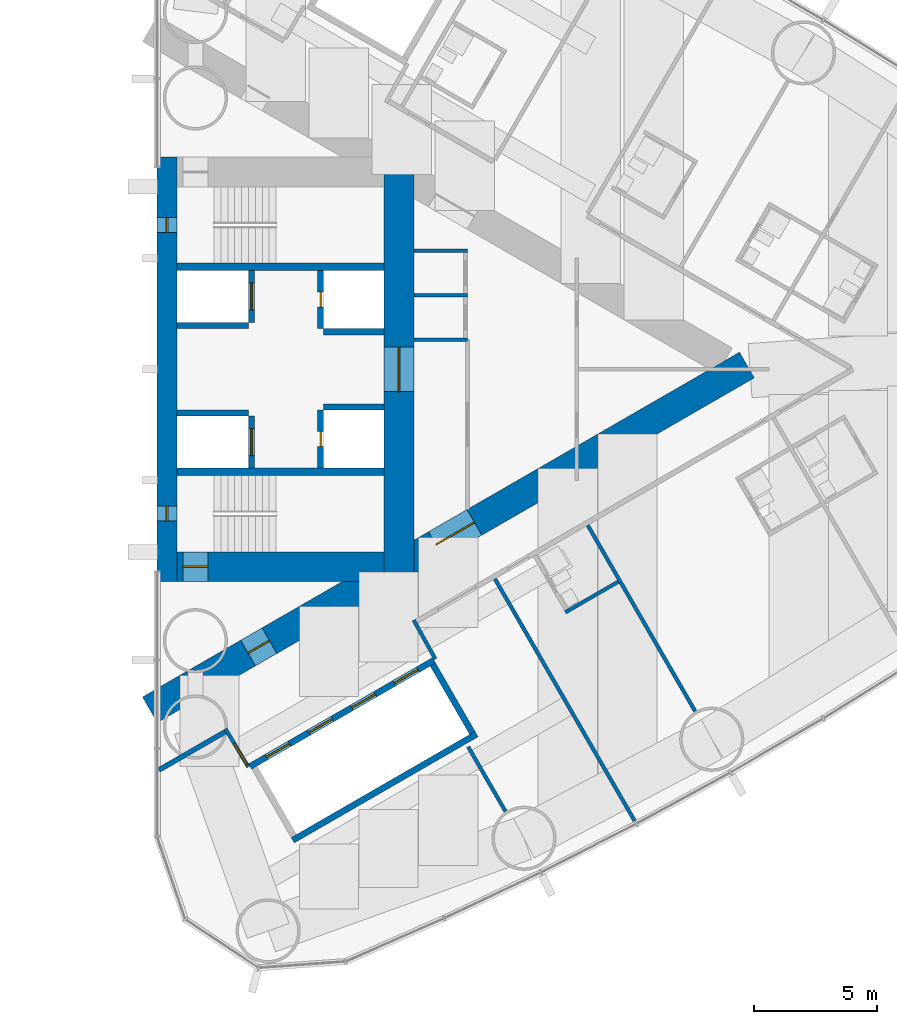
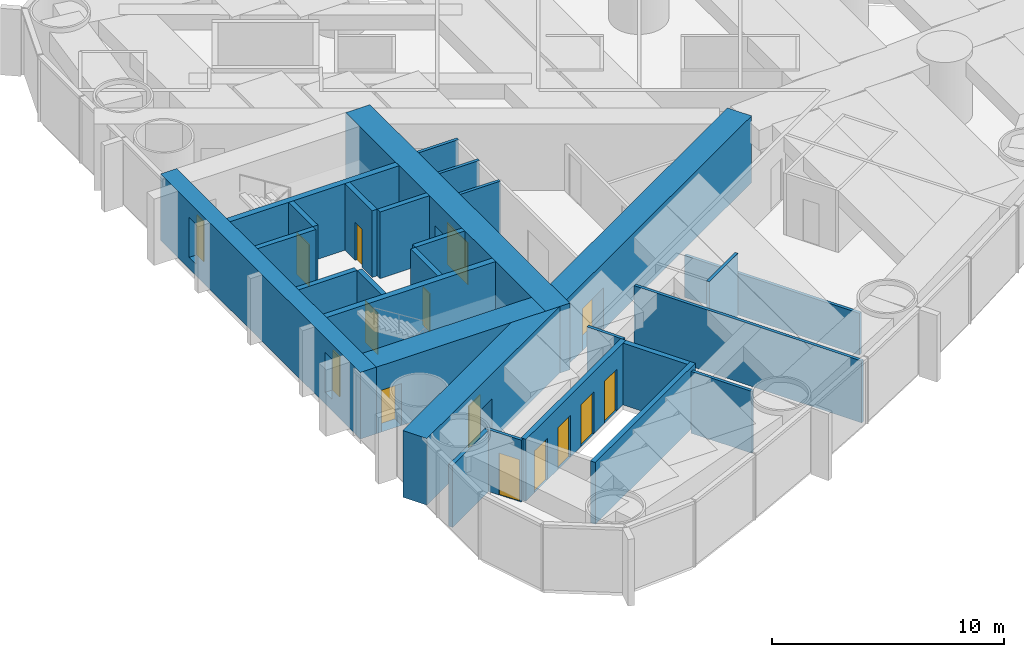
# One storey, part 14 of 19: 27 walls, 13 doors, 2 windows, 15 openings.
"""IFC4 building model written with IfcOpenShell, lengths in metres."""

from ifc_helpers import new_model, si_unit, direction, frame, frame_2d, origin, place, context, subcontext, project, spatial, rectangle, extrude, material, layer, layer_set, type_object, element, fill, save


model = new_model("IFC4")

# Units and contexts
model_context = context("Model", 3, precision=1e-05, world=origin(), true_north=direction((0.0, 1.0)))
body_context = subcontext(model_context, "Body", "Model", "MODEL_VIEW")
ifc_project = project(units=[si_unit("LENGTHUNIT", "METRE"), si_unit("AREAUNIT", "SQUARE_METRE"), si_unit("VOLUMEUNIT", "CUBIC_METRE"), si_unit("PLANEANGLEUNIT", "RADIAN"), si_unit("MASSUNIT", "GRAM", prefix="KILO")], contexts=[model_context])

# Site, building, storey
site_placement = place(None, origin())
site = spatial("IfcSite", under=ifc_project, at=site_placement, CompositionType="ELEMENT")
building_placement = place(site_placement, origin())
building = spatial("IfcBuilding", under=site, at=building_placement, Name="Lancet Gate Hotel", CompositionType="ELEMENT")
storey_placement = place(building_placement, frame((0.0, 0.0, 111.60009765625)))
storey = spatial("IfcBuildingStorey", under=building, at=storey_placement, Name="L29", CompositionType="ELEMENT", Elevation=111.60009765625)

# Wall
ifc_material_1 = material(Name="Moisture resistant board partition")
ifc_layer_1 = layer(ifc_material_1, 0.14990234375)
ifc_layer_set_1 = layer_set([ifc_layer_1], Name="Bathroom wall 150")
wall_type_1 = type_object("IfcWallType", Name="Bathroom wall 150", PredefinedType="PARTITIONING", material=ifc_layer_set_1)
wall_1_placement = place(storey_placement, frame((44.045166015625, -9.847900390625, 0.0), z_axis=(0.0, 0.0, 1.0), x_axis=(0.866031185235, 0.4999899861, 0.0)))
element("IfcWall", 1, at=wall_1_placement, inside=storey, type_object=wall_type_1, Name="T2 bathroom wall 150 L29", PredefinedType="PARTITIONING", context=body_context, shape_type="SweptSolid", body=[
    extrude(rectangle(XDim=2.47509765625, YDim=0.14990234375, at=frame_2d((1.237548828125, 0.0))), origin(), (0.0, 0.0, 1.0), 3.25),
])

# Wall, openings, doors
ifc_material_2 = material(Name="Concrete C70/85", Category="concrete")
ifc_layer_2 = layer(ifc_material_2, 1.199951171875)
ifc_layer_set_2 = layer_set([ifc_layer_2], Name="Buttress wall 1200")
wall_type_2 = type_object("IfcWallType", Name="Buttress wall 1200", PredefinedType="SHEAR", material=ifc_layer_set_2)
wall_2_placement = place(storey_placement, frame((27.199951171875, -13.800048828125, 0.0), z_axis=(0.0, 0.0, 1.0), x_axis=(0.866027159892, 0.499996958321, 0.0)))
wall_2 = element("IfcWall", 2, at=wall_2_placement, inside=storey, type_object=wall_type_2, Name="T2 buttress wall S L29", PredefinedType="SHEAR", context=body_context, shape_type="SweptSolid", body=[
    extrude(rectangle(XDim=27.946533203125, YDim=1.199951171875, at=frame_2d((13.97314453125, 0.0))), origin(), (0.0, 0.0, 1.0), 3.5),
])
opening_1_placement = place(wall_2_placement, frame((4.60009765625, 0.0, 0.0)))
opening_1 = element("IfcOpeningElement", 3, at=opening_1_placement, cuts=wall_2, Name="Opening T2-L29-LS", PredefinedType="OPENING", context=body_context, shape_type="SweptSolid", body=[
    extrude(rectangle(XDim=1.0, YDim=2.199951171875, at=frame_2d((0.5, 1.10009765625))), frame((0.0, 0.60986328125, 0.0), z_axis=(0.0, -1.0, 0.0), x_axis=(1.0, 0.0, 0.0)), (0.0, 0.0, 1.0), 1.219970703125),
])
opening_2_placement = place(wall_2_placement, frame((13.39453125, 0.0, 0.0)))
opening_2 = element("IfcOpeningElement", 4, at=opening_2_placement, cuts=wall_2, Name="Opening T2-L29-LHS", PredefinedType="OPENING", context=body_context, shape_type="SweptSolid", body=[
    extrude(rectangle(XDim=1.800048828125, YDim=2.199951171875, at=frame_2d((0.89990234375, 1.10009765625))), frame((0.0, 0.60986328125, 0.0), z_axis=(0.0, -1.0, 0.0), x_axis=(1.0, 0.0, 0.0)), (0.0, 0.0, 1.0), 1.219970703125),
])
ifc_material_3 = material(Name="Timber door set", Category="wood")
door_type_1 = type_object("IfcDoorType", Name="Lobby double door 1800", OperationType="DOUBLE_DOOR_SINGLE_SWING", PredefinedType="DOOR", material=ifc_material_3)
door_1_placement = place(opening_2_placement, origin())
door_1 = element("IfcDoor", 5, at=door_1_placement, inside=storey, type_object=door_type_1, Name="T2-L29-LHS", OperationType="DOUBLE_DOOR_SINGLE_SWING", OverallHeight=2.199951171875, OverallWidth=1.800048828125, PredefinedType="DOOR", context=body_context, shape_type="SweptSolid", body=[
    extrude(rectangle(XDim=1.800048828125, YDim=2.199951171875, at=frame_2d((0.89990234375, 1.10009765625))), frame((0.0, 0.02490234375, 0.0), z_axis=(0.0, -1.0, 0.0), x_axis=(1.0, 0.0, 0.0)), (0.0, 0.0, 1.0), 0.050048828125),
])
fill(opening_2, door_1)
ifc_material_4 = material(Name="Timber door set", Category="wood")
door_type_2 = type_object("IfcDoorType", Name="Stair lobby door 1000", OperationType="SINGLE_SWING_LEFT", PredefinedType="DOOR", material=ifc_material_4)
door_2_placement = place(opening_1_placement, origin())
door_2 = element("IfcDoor", 6, at=door_2_placement, inside=storey, type_object=door_type_2, Name="T2-L29-LS", OperationType="SINGLE_SWING_LEFT", OverallHeight=2.199951171875, OverallWidth=1.0, PredefinedType="DOOR", context=body_context, shape_type="SweptSolid", body=[
    extrude(rectangle(XDim=1.0, YDim=2.199951171875, at=frame_2d((0.5, 1.10009765625))), frame((0.0, 0.02490234375, 0.0), z_axis=(0.0, -1.0, 0.0), x_axis=(1.0, 0.0, 0.0)), (0.0, 0.0, 1.0), 0.050048828125),
])
fill(opening_1, door_2)

# Wall, opening, door
ifc_material_5 = material(Name="Concrete C70/85", Category="concrete")
ifc_layer_3 = layer(ifc_material_5, 1.199951171875)
ifc_layer_set_3 = layer_set([ifc_layer_3], Name="Core wall 1200")
wall_type_3 = type_object("IfcWallType", Name="Core wall 1200", PredefinedType="SHEAR", material=ifc_layer_set_3)
wall_3_placement = place(storey_placement, frame((37.300048828125, -8.60009765625, 0.0), z_axis=(0.0, 0.0, 1.0), x_axis=(0.0, 1.0, 0.0)))
wall_3 = element("IfcWall", 7, at=wall_3_placement, inside=storey, type_object=wall_type_3, Name="T2 core wall back L29", PredefinedType="SHEAR", context=body_context, shape_type="SweptSolid", body=[
    extrude(rectangle(XDim=17.2001953125, YDim=1.199951171875, at=frame_2d((8.60009765625, 0.0))), origin(), (0.0, 0.0, 1.0), 3.5),
])
opening_3_placement = place(wall_3_placement, frame((7.699951171875, 0.0, 0.0)))
opening_3 = element("IfcOpeningElement", 8, at=opening_3_placement, cuts=wall_3, Name="Opening T2-L29-LL", PredefinedType="OPENING", context=body_context, shape_type="SweptSolid", body=[
    extrude(rectangle(XDim=1.800048828125, YDim=2.199951171875, at=frame_2d((0.89990234375, 1.10009765625))), frame((0.0, 0.60986328125, 0.0), z_axis=(0.0, -1.0, 0.0), x_axis=(1.0, 0.0, 0.0)), (0.0, 0.0, 1.0), 1.219970703125),
])
door_3_placement = place(opening_3_placement, origin())
door_3 = element("IfcDoor", 9, at=door_3_placement, inside=storey, type_object=door_type_1, Name="T2-L29-LL", OperationType="DOUBLE_DOOR_SINGLE_SWING", OverallHeight=2.199951171875, OverallWidth=1.800048828125, PredefinedType="DOOR", context=body_context, shape_type="SweptSolid", body=[
    extrude(rectangle(XDim=1.800048828125, YDim=2.199951171875, at=frame_2d((0.89990234375, 1.10009765625))), frame((0.0, 0.02490234375, 0.0), z_axis=(0.0, -1.0, 0.0), x_axis=(1.0, 0.0, 0.0)), (0.0, 0.0, 1.0), 0.050048828125),
])
fill(opening_3, door_3)

wall_4_placement = place(storey_placement, frame((28.300048828125, -8.0, 0.0), z_axis=(0.0, 0.0, 1.0), x_axis=(1.0, 0.0, 0.0)))
wall_4 = element("IfcWall", 10, at=wall_4_placement, inside=storey, type_object=wall_type_3, Name="T2 core wall side-S L29", PredefinedType="SHEAR", context=body_context, shape_type="SweptSolid", body=[
    extrude(rectangle(XDim=8.39990234375, YDim=1.199951171875, at=frame_2d((4.199951171875, 0.0))), origin(), (0.0, 0.0, 1.0), 3.5),
])
opening_4_placement = place(wall_4_placement, frame((0.25, 0.0, 0.0)))
opening_4 = element("IfcOpeningElement", 11, at=opening_4_placement, cuts=wall_4, Name="Opening T2-L29-ST1", PredefinedType="OPENING", context=body_context, shape_type="SweptSolid", body=[
    extrude(rectangle(XDim=1.0, YDim=2.199951171875, at=frame_2d((0.5, 1.10009765625))), frame((0.0, 0.60986328125, 0.0), z_axis=(0.0, -1.0, 0.0), x_axis=(1.0, 0.0, 0.0)), (0.0, 0.0, 1.0), 1.219970703125),
])
ifc_material_6 = material(Name="Timber door set", Category="wood")
door_type_3 = type_object("IfcDoorType", Name="Stair door 1000", OperationType="SINGLE_SWING_RIGHT", PredefinedType="DOOR", material=ifc_material_6)
door_4_placement = place(opening_4_placement, origin())
door_4 = element("IfcDoor", 12, at=door_4_placement, inside=storey, type_object=door_type_3, Name="T2-L29-ST1", OperationType="SINGLE_SWING_RIGHT", OverallHeight=2.199951171875, OverallWidth=1.0, PredefinedType="DOOR", context=body_context, shape_type="SweptSolid", body=[
    extrude(rectangle(XDim=1.0, YDim=2.199951171875, at=frame_2d((0.5, 1.10009765625))), frame((0.0, 0.02490234375, 0.0), z_axis=(0.0, -1.0, 0.0), x_axis=(1.0, 0.0, 0.0)), (0.0, 0.0, 1.0), 0.050048828125),
])
fill(opening_4, door_4)

# Wall, openings, windows
ifc_material_7 = material(Name="Concrete C70/85", Category="concrete")
ifc_layer_4 = layer(ifc_material_7, 0.800048828125)
ifc_layer_set_4 = layer_set([ifc_layer_4], Name="Core wall 800")
wall_type_4 = type_object("IfcWallType", Name="Core wall 800", PredefinedType="SHEAR", material=ifc_layer_set_4)
wall_5_placement = place(storey_placement, frame((27.89990234375, -8.60009765625, 0.0), z_axis=(0.0, 0.0, 1.0), x_axis=(0.0, 1.0, 0.0)))
wall_5 = element("IfcWall", 13, at=wall_5_placement, inside=storey, type_object=wall_type_4, Name="T2 core wall front L29", PredefinedType="SHEAR", context=body_context, shape_type="SweptSolid", body=[
    extrude(rectangle(XDim=17.2001953125, YDim=0.800048828125, at=frame_2d((8.60009765625, 0.0))), origin(), (0.0, 0.0, 1.0), 3.5),
])
opening_5_placement = place(wall_5_placement, frame((2.449951171875, 0.0, 0.60009765625)))
opening_5 = element("IfcOpeningElement", 14, at=opening_5_placement, cuts=wall_5, Name="Opening LW1", PredefinedType="OPENING", context=body_context, shape_type="SweptSolid", body=[
    extrude(rectangle(XDim=0.60009765625, YDim=2.10009765625, at=frame_2d((0.300048828125, 1.050048828125))), frame((0.0, 0.409912109375, 0.0), z_axis=(0.0, -1.0, 0.0), x_axis=(1.0, 0.0, 0.0)), (0.0, 0.0, 1.0), 0.820068359375),
])
opening_6_placement = place(wall_5_placement, frame((14.14990234375, 0.0, 0.60009765625)))
opening_6 = element("IfcOpeningElement", 15, at=opening_6_placement, cuts=wall_5, Name="Opening LW1", PredefinedType="OPENING", context=body_context, shape_type="SweptSolid", body=[
    extrude(rectangle(XDim=0.60009765625, YDim=2.10009765625, at=frame_2d((0.300048828125, 1.050048828125))), frame((0.0, 0.409912109375, 0.0), z_axis=(0.0, -1.0, 0.0), x_axis=(1.0, 0.0, 0.0)), (0.0, 0.0, 1.0), 0.820068359375),
])
ifc_material_8 = material(Name="Fire-resisting glazed steel window", Category="steel")
window_type = type_object("IfcWindowType", Name="Lancet window 600x2100", PartitioningType="SINGLE_PANEL", PredefinedType="WINDOW", material=ifc_material_8)
window_1_placement = place(opening_5_placement, origin())
window_1 = element("IfcWindow", 16, at=window_1_placement, inside=storey, type_object=window_type, Name="T2 stair window S L29", OverallHeight=2.10009765625, OverallWidth=0.60009765625, PartitioningType="SINGLE_PANEL", PredefinedType="WINDOW", context=body_context, shape_type="SweptSolid", body=[
    extrude(rectangle(XDim=0.60009765625, YDim=2.10009765625, at=frame_2d((0.300048828125, 1.050048828125))), frame((0.0, 0.030029296875, 0.0), z_axis=(0.0, -1.0, 0.0), x_axis=(1.0, 0.0, 0.0)), (0.0, 0.0, 1.0), 0.06005859375),
])
fill(opening_5, window_1)
window_2_placement = place(opening_6_placement, origin())
window_2 = element("IfcWindow", 17, at=window_2_placement, inside=storey, type_object=window_type, Name="T2 stair window N L29", OverallHeight=2.10009765625, OverallWidth=0.60009765625, PartitioningType="SINGLE_PANEL", PredefinedType="WINDOW", context=body_context, shape_type="SweptSolid", body=[
    extrude(rectangle(XDim=0.60009765625, YDim=2.10009765625, at=frame_2d((0.300048828125, 1.050048828125))), frame((0.0, 0.030029296875, 0.0), z_axis=(0.0, -1.0, 0.0), x_axis=(1.0, 0.0, 0.0)), (0.0, 0.0, 1.0), 0.06005859375),
])
fill(opening_6, window_2)

# Wall
ifc_material_9 = material(Name="Gypsum board partition")
ifc_layer_5 = layer(ifc_material_9, 0.199951171875)
ifc_layer_set_5 = layer_set([ifc_layer_5], Name="Corridor wall 200")
wall_type_5 = type_object("IfcWallType", Name="Corridor wall 200", PredefinedType="PARTITIONING", material=ifc_layer_set_5)
wall_6_placement = place(storey_placement, frame((27.572021484375, -16.240966796875, 0.0), z_axis=(0.0, 0.0, 1.0), x_axis=(0.866029654818, 0.499992636921, 0.0)))
element("IfcWall", 18, at=wall_6_placement, inside=storey, type_object=wall_type_5, Name="T2 corridor wall 200 L29", PredefinedType="PARTITIONING", context=body_context, shape_type="SweptSolid", body=[
    extrude(rectangle(XDim=3.15478515625, YDim=0.199951171875, at=frame_2d((1.577392578125, 0.0))), origin(), (0.0, 0.0, 1.0), 3.25),
])

# Wall, openings, doors
ifc_material_10 = material(Name="Gypsum board partition")
ifc_layer_6 = layer(ifc_material_10, 0.25)
ifc_layer_set_6 = layer_set([ifc_layer_6], Name="Lift shaft partition 250")
wall_type_6 = type_object("IfcWallType", Name="Lift shaft partition 250", PredefinedType="PARTITIONING", material=ifc_layer_set_6)
wall_7_placement = place(storey_placement, frame((31.2705078125, -16.09716796875, 0.0), z_axis=(0.0, 0.0, 1.0), x_axis=(0.86604045752, 0.499973925258, 0.0)))
wall_7 = element("IfcWall", 19, at=wall_7_placement, inside=storey, type_object=wall_type_6, Name="T2 lift shaft wall LR L29", PredefinedType="PARTITIONING", context=body_context, shape_type="SweptSolid", body=[
    extrude(rectangle(XDim=8.60009765625, YDim=0.25, at=frame_2d((4.300048828125, 0.0))), origin(), (0.0, 0.0, 1.0), 3.25),
])
opening_7_placement = place(wall_7_placement, frame((0.75, 0.0, 0.0)))
opening_7 = element("IfcOpeningElement", 20, at=opening_7_placement, cuts=wall_7, Name="Opening T2-LR1-L29", PredefinedType="OPENING", context=body_context, shape_type="SweptSolid", body=[
    extrude(rectangle(XDim=1.10009765625, YDim=2.199951171875, at=frame_2d((0.550048828125, 1.10009765625))), frame((0.0, 0.135009765625, 0.0), z_axis=(0.0, -1.0, 0.0), x_axis=(1.0, 0.0, 0.0)), (0.0, 0.0, 1.0), 0.27001953125),
])
opening_8_placement = place(wall_7_placement, frame((2.75, 0.0, 0.0)))
opening_8 = element("IfcOpeningElement", 21, at=opening_8_placement, cuts=wall_7, Name="Opening T2-LR2-L29", PredefinedType="OPENING", context=body_context, shape_type="SweptSolid", body=[
    extrude(rectangle(XDim=1.10009765625, YDim=2.199951171875, at=frame_2d((0.550048828125, 1.10009765625))), frame((0.0, 0.135009765625, 0.0), z_axis=(0.0, -1.0, 0.0), x_axis=(1.0, 0.0, 0.0)), (0.0, 0.0, 1.0), 0.27001953125),
])
opening_9_placement = place(wall_7_placement, frame((4.75, 0.0, 0.0)))
opening_9 = element("IfcOpeningElement", 22, at=opening_9_placement, cuts=wall_7, Name="Opening T2-LR3-L29", PredefinedType="OPENING", context=body_context, shape_type="SweptSolid", body=[
    extrude(rectangle(XDim=1.10009765625, YDim=2.199951171875, at=frame_2d((0.550048828125, 1.10009765625))), frame((0.0, 0.135009765625, 0.0), z_axis=(0.0, -1.0, 0.0), x_axis=(1.0, 0.0, 0.0)), (0.0, 0.0, 1.0), 0.27001953125),
])
opening_10_placement = place(wall_7_placement, frame((6.75, 0.0, 0.0)))
opening_10 = element("IfcOpeningElement", 23, at=opening_10_placement, cuts=wall_7, Name="Opening T2-LR4-L29", PredefinedType="OPENING", context=body_context, shape_type="SweptSolid", body=[
    extrude(rectangle(XDim=1.10009765625, YDim=2.199951171875, at=frame_2d((0.550048828125, 1.10009765625))), frame((0.0, 0.135009765625, 0.0), z_axis=(0.0, -1.0, 0.0), x_axis=(1.0, 0.0, 0.0)), (0.0, 0.0, 1.0), 0.27001953125),
])
ifc_material_11 = material(Name="Steel door set", Category="steel")
door_type_4 = type_object("IfcDoorType", Name="Lift landing door 1100", OperationType="DOUBLE_DOOR_SLIDING", PredefinedType="USERDEFINED", material=ifc_material_11)
door_5_placement = place(opening_7_placement, origin())
door_5 = element("IfcDoor", 24, at=door_5_placement, inside=storey, type_object=door_type_4, Name="T2-LR1-L29", ObjectType="LIFT LANDING DOOR", OperationType="DOUBLE_DOOR_SLIDING", OverallHeight=2.199951171875, OverallWidth=1.10009765625, PredefinedType="USERDEFINED", context=body_context, shape_type="SweptSolid", body=[
    extrude(rectangle(XDim=1.10009765625, YDim=2.199951171875, at=frame_2d((0.550048828125, 1.10009765625))), frame((0.0, 0.02490234375, 0.0), z_axis=(0.0, -1.0, 0.0), x_axis=(1.0, 0.0, 0.0)), (0.0, 0.0, 1.0), 0.050048828125),
])
fill(opening_7, door_5)
door_6_placement = place(opening_8_placement, origin())
door_6 = element("IfcDoor", 25, at=door_6_placement, inside=storey, type_object=door_type_4, Name="T2-LR2-L29", ObjectType="LIFT LANDING DOOR", OperationType="DOUBLE_DOOR_SLIDING", OverallHeight=2.199951171875, OverallWidth=1.10009765625, PredefinedType="USERDEFINED", context=body_context, shape_type="SweptSolid", body=[
    extrude(rectangle(XDim=1.10009765625, YDim=2.199951171875, at=frame_2d((0.550048828125, 1.10009765625))), frame((0.0, 0.02490234375, 0.0), z_axis=(0.0, -1.0, 0.0), x_axis=(1.0, 0.0, 0.0)), (0.0, 0.0, 1.0), 0.050048828125),
])
fill(opening_8, door_6)
door_7_placement = place(opening_9_placement, origin())
door_7 = element("IfcDoor", 26, at=door_7_placement, inside=storey, type_object=door_type_4, Name="T2-LR3-L29", ObjectType="LIFT LANDING DOOR", OperationType="DOUBLE_DOOR_SLIDING", OverallHeight=2.199951171875, OverallWidth=1.10009765625, PredefinedType="USERDEFINED", context=body_context, shape_type="SweptSolid", body=[
    extrude(rectangle(XDim=1.10009765625, YDim=2.199951171875, at=frame_2d((0.550048828125, 1.10009765625))), frame((0.0, 0.02490234375, 0.0), z_axis=(0.0, -1.0, 0.0), x_axis=(1.0, 0.0, 0.0)), (0.0, 0.0, 1.0), 0.050048828125),
])
fill(opening_9, door_7)
door_8_placement = place(opening_10_placement, origin())
door_8 = element("IfcDoor", 27, at=door_8_placement, inside=storey, type_object=door_type_4, Name="T2-LR4-L29", ObjectType="LIFT LANDING DOOR", OperationType="DOUBLE_DOOR_SLIDING", OverallHeight=2.199951171875, OverallWidth=1.10009765625, PredefinedType="USERDEFINED", context=body_context, shape_type="SweptSolid", body=[
    extrude(rectangle(XDim=1.10009765625, YDim=2.199951171875, at=frame_2d((0.550048828125, 1.10009765625))), frame((0.0, 0.02490234375, 0.0), z_axis=(0.0, -1.0, 0.0), x_axis=(1.0, 0.0, 0.0)), (0.0, 0.0, 1.0), 0.050048828125),
])
fill(opening_10, door_8)

# Walls
wall_8_placement = place(storey_placement, frame((32.99560546875, -19.085693359375, 0.0), z_axis=(0.0, 0.0, 1.0), x_axis=(0.866028165386, 0.499995216735, 0.0)))
element("IfcWall", 28, at=wall_8_placement, inside=storey, type_object=wall_type_6, Name="T2 lift shaft wall LR L29", PredefinedType="PARTITIONING", context=body_context, shape_type="SweptSolid", body=[
    extrude(rectangle(XDim=8.60009765625, YDim=0.25, at=frame_2d((4.300048828125, 0.0))), origin(), (0.0, 0.0, 1.0), 3.25),
])
wall_9_placement = place(storey_placement, frame((38.672607421875, -11.968017578125, 0.0), z_axis=(0.0, 0.0, 1.0), x_axis=(0.499929347863, -0.866066190972, 0.0)))
element("IfcWall", 29, at=wall_9_placement, inside=storey, type_object=wall_type_6, Name="T2 lift shaft wall LR L29", PredefinedType="PARTITIONING", context=body_context, shape_type="SweptSolid", body=[
    extrude(rectangle(XDim=3.20068359375, YDim=0.25, at=frame_2d((1.600341796875, 0.0))), origin(), (0.0, 0.0, 1.0), 3.25),
])

# Wall, opening, door
ifc_material_12 = material(Name="Concrete C50/60", Category="concrete")
ifc_layer_7 = layer(ifc_material_12, 0.25)
ifc_layer_set_7 = layer_set([ifc_layer_7], Name="Lift shaft wall 250")
wall_type_7 = type_object("IfcWallType", Name="Lift shaft wall 250", PredefinedType="SHEAR", material=ifc_layer_set_7)
wall_10_placement = place(storey_placement, frame((31.324951171875, -4.0, 0.0), z_axis=(0.0, 0.0, 1.0), x_axis=(0.0, 1.0, 0.0)))
wall_10 = element("IfcWall", 30, at=wall_10_placement, inside=storey, type_object=wall_type_7, Name="T2 core wall row1-S L29", PredefinedType="SHEAR", context=body_context, shape_type="SweptSolid", body=[
    extrude(rectangle(XDim=2.10009765625, YDim=0.25, at=frame_2d((1.050048828125, 0.0))), origin(), (0.0, 0.0, 1.0), 3.5),
])
opening_11_placement = place(wall_10_placement, frame((0.5, 0.0, 0.0)))
opening_11 = element("IfcOpeningElement", 31, at=opening_11_placement, cuts=wall_10, Name="Opening T2-SL1-L29", PredefinedType="OPENING", context=body_context, shape_type="SweptSolid", body=[
    extrude(rectangle(XDim=1.10009765625, YDim=2.199951171875, at=frame_2d((0.550048828125, 1.10009765625))), frame((0.0, 0.135009765625, 0.0), z_axis=(0.0, -1.0, 0.0), x_axis=(1.0, 0.0, 0.0)), (0.0, 0.0, 1.0), 0.27001953125),
])
ifc_material_13 = material(Name="Timber door set", Category="wood")
door_type_5 = type_object("IfcDoorType", Name="Service lift landing door 1100", OperationType="SLIDING_TO_LEFT", PredefinedType="USERDEFINED", material=ifc_material_13)
door_9_placement = place(opening_11_placement, origin())
door_9 = element("IfcDoor", 32, at=door_9_placement, inside=storey, type_object=door_type_5, Name="T2-SL1-L29", ObjectType="LIFT LANDING DOOR", OperationType="SLIDING_TO_LEFT", OverallHeight=2.199951171875, OverallWidth=1.10009765625, PredefinedType="USERDEFINED", context=body_context, shape_type="SweptSolid", body=[
    extrude(rectangle(XDim=1.10009765625, YDim=2.199951171875, at=frame_2d((0.550048828125, 1.10009765625))), frame((0.0, 0.02490234375, 0.0), z_axis=(0.0, -1.0, 0.0), x_axis=(1.0, 0.0, 0.0)), (0.0, 0.0, 1.0), 0.050048828125),
])
fill(opening_11, door_9)

wall_11_placement = place(storey_placement, frame((34.125, -4.0, 0.0), z_axis=(0.0, 0.0, 1.0), x_axis=(0.0, 1.0, 0.0)))
wall_11 = element("IfcWall", 33, at=wall_11_placement, inside=storey, type_object=wall_type_7, Name="T2 core wall row2-S L29", PredefinedType="SHEAR", context=body_context, shape_type="SweptSolid", body=[
    extrude(rectangle(XDim=2.35009765625, YDim=0.25, at=frame_2d((1.175048828125, 0.0))), origin(), (0.0, 0.0, 1.0), 3.5),
])
opening_12_placement = place(wall_11_placement, frame((0.875, 0.0, 0.0)))
opening_12 = element("IfcOpeningElement", 34, at=opening_12_placement, cuts=wall_11, Name="Opening T2-OL3-L29-E", PredefinedType="OPENING", context=body_context, shape_type="SweptSolid", body=[
    extrude(rectangle(XDim=0.60009765625, YDim=2.0, at=frame_2d((0.300048828125, 1.0))), frame((0.0, 0.135009765625, 0.0), z_axis=(0.0, -1.0, 0.0), x_axis=(1.0, 0.0, 0.0)), (0.0, 0.0, 1.0), 0.27001953125),
])
ifc_material_14 = material(Name="Steel door set", Category="steel")
door_type_6 = type_object("IfcDoorType", Name="Lift shaft emergency door 600x2000", OperationType="SLIDING_TO_LEFT", PredefinedType="DOOR", material=ifc_material_14)
door_10_placement = place(opening_12_placement, origin())
door_10 = element("IfcDoor", 35, at=door_10_placement, inside=storey, type_object=door_type_6, Name="T2-OL3-L29-E", OperationType="SLIDING_TO_LEFT", OverallHeight=2.0, OverallWidth=0.60009765625, PredefinedType="DOOR", context=body_context, shape_type="SweptSolid", body=[
    extrude(rectangle(XDim=0.60009765625, YDim=2.0, at=frame_2d((0.300048828125, 1.0))), frame((0.0, 0.02490234375, 0.0), z_axis=(0.0, -1.0, 0.0), x_axis=(1.0, 0.0, 0.0)), (0.0, 0.0, 1.0), 0.050048828125),
])
fill(opening_12, door_10)

# Walls
wall_12_placement = place(storey_placement, frame((28.300048828125, -1.77490234375, 0.0), z_axis=(0.0, 0.0, 1.0), x_axis=(1.0, 0.0, 0.0)))
element("IfcWall", 36, at=wall_12_placement, inside=storey, type_object=wall_type_7, Name="T2 core wall pass1-S L29", PredefinedType="SHEAR", context=body_context, shape_type="SweptSolid", body=[
    extrude(rectangle(XDim=2.89990234375, YDim=0.25, at=frame_2d((1.449951171875, 0.0))), origin(), (0.0, 0.0, 1.0), 3.5),
])
wall_13_placement = place(storey_placement, frame((34.25, -1.52490234375, 0.0), z_axis=(0.0, 0.0, 1.0), x_axis=(1.0, 0.0, 0.0)))
element("IfcWall", 37, at=wall_13_placement, inside=storey, type_object=wall_type_7, Name="T2 core wall pass2-S L29", PredefinedType="SHEAR", context=body_context, shape_type="SweptSolid", body=[
    extrude(rectangle(XDim=2.449951171875, YDim=0.25, at=frame_2d((1.22509765625, 0.0))), origin(), (0.0, 0.0, 1.0), 3.5),
])

# Wall, opening, door
wall_14_placement = place(storey_placement, frame((31.324951171875, 1.89990234375, 0.0), z_axis=(0.0, 0.0, 1.0), x_axis=(0.0, 1.0, 0.0)))
wall_14 = element("IfcWall", 38, at=wall_14_placement, inside=storey, type_object=wall_type_7, Name="T2 core wall row1-N L29", PredefinedType="SHEAR", context=body_context, shape_type="SweptSolid", body=[
    extrude(rectangle(XDim=2.10009765625, YDim=0.25, at=frame_2d((1.050048828125, 0.0))), origin(), (0.0, 0.0, 1.0), 3.5),
])
opening_13_placement = place(wall_14_placement, frame((0.5, 0.0, 0.0)))
opening_13 = element("IfcOpeningElement", 39, at=opening_13_placement, cuts=wall_14, Name="Opening T2-FL2-L29", PredefinedType="OPENING", context=body_context, shape_type="SweptSolid", body=[
    extrude(rectangle(XDim=1.10009765625, YDim=2.199951171875, at=frame_2d((0.550048828125, 1.10009765625))), frame((0.0, 0.135009765625, 0.0), z_axis=(0.0, -1.0, 0.0), x_axis=(1.0, 0.0, 0.0)), (0.0, 0.0, 1.0), 0.27001953125),
])
ifc_material_15 = material(Name="Steel door set", Category="steel")
door_type_7 = type_object("IfcDoorType", Name="Firefighting lift landing door 1100", OperationType="SLIDING_TO_LEFT", PredefinedType="USERDEFINED", material=ifc_material_15)
door_11_placement = place(opening_13_placement, origin())
door_11 = element("IfcDoor", 40, at=door_11_placement, inside=storey, type_object=door_type_7, Name="T2-FL2-L29", ObjectType="LIFT LANDING DOOR", OperationType="SLIDING_TO_LEFT", OverallHeight=2.199951171875, OverallWidth=1.10009765625, PredefinedType="USERDEFINED", context=body_context, shape_type="SweptSolid", body=[
    extrude(rectangle(XDim=1.10009765625, YDim=2.199951171875, at=frame_2d((0.550048828125, 1.10009765625))), frame((0.0, 0.02490234375, 0.0), z_axis=(0.0, -1.0, 0.0), x_axis=(1.0, 0.0, 0.0)), (0.0, 0.0, 1.0), 0.050048828125),
])
fill(opening_13, door_11)

wall_15_placement = place(storey_placement, frame((34.125, 1.64990234375, 0.0), z_axis=(0.0, 0.0, 1.0), x_axis=(0.0, 1.0, 0.0)))
wall_15 = element("IfcWall", 41, at=wall_15_placement, inside=storey, type_object=wall_type_7, Name="T2 core wall row2-N L29", PredefinedType="SHEAR", context=body_context, shape_type="SweptSolid", body=[
    extrude(rectangle(XDim=2.35009765625, YDim=0.25, at=frame_2d((1.175048828125, 0.0))), origin(), (0.0, 0.0, 1.0), 3.5),
])
opening_14_placement = place(wall_15_placement, frame((0.875, 0.0, 0.0)))
opening_14 = element("IfcOpeningElement", 42, at=opening_14_placement, cuts=wall_15, Name="Opening T2-OL4-L29-E", PredefinedType="OPENING", context=body_context, shape_type="SweptSolid", body=[
    extrude(rectangle(XDim=0.60009765625, YDim=2.0, at=frame_2d((0.300048828125, 1.0))), frame((0.0, 0.135009765625, 0.0), z_axis=(0.0, -1.0, 0.0), x_axis=(1.0, 0.0, 0.0)), (0.0, 0.0, 1.0), 0.27001953125),
])
door_12_placement = place(opening_14_placement, origin())
door_12 = element("IfcDoor", 43, at=door_12_placement, inside=storey, type_object=door_type_6, Name="T2-OL4-L29-E", OperationType="SLIDING_TO_LEFT", OverallHeight=2.0, OverallWidth=0.60009765625, PredefinedType="DOOR", context=body_context, shape_type="SweptSolid", body=[
    extrude(rectangle(XDim=0.60009765625, YDim=2.0, at=frame_2d((0.300048828125, 1.0))), frame((0.0, 0.02490234375, 0.0), z_axis=(0.0, -1.0, 0.0), x_axis=(1.0, 0.0, 0.0)), (0.0, 0.0, 1.0), 0.050048828125),
])
fill(opening_14, door_12)

# Walls
wall_16_placement = place(storey_placement, frame((28.300048828125, 1.77490234375, 0.0), z_axis=(0.0, 0.0, 1.0), x_axis=(1.0, 0.0, 0.0)))
element("IfcWall", 44, at=wall_16_placement, inside=storey, type_object=wall_type_7, Name="T2 core wall pass1-N L29", PredefinedType="SHEAR", context=body_context, shape_type="SweptSolid", body=[
    extrude(rectangle(XDim=2.89990234375, YDim=0.25, at=frame_2d((1.449951171875, 0.0))), origin(), (0.0, 0.0, 1.0), 3.5),
])
wall_17_placement = place(storey_placement, frame((34.25, 1.52490234375, 0.0), z_axis=(0.0, 0.0, 1.0), x_axis=(1.0, 0.0, 0.0)))
element("IfcWall", 45, at=wall_17_placement, inside=storey, type_object=wall_type_7, Name="T2 core wall pass2-N L29", PredefinedType="SHEAR", context=body_context, shape_type="SweptSolid", body=[
    extrude(rectangle(XDim=2.449951171875, YDim=0.25, at=frame_2d((1.22509765625, 0.0))), origin(), (0.0, 0.0, 1.0), 3.5),
])
ifc_material_16 = material(Name="Gypsum board partition")
ifc_layer_8 = layer(ifc_material_16, 0.14990234375)
ifc_layer_set_8 = layer_set([ifc_layer_8], Name="Party wall 150")
wall_type_8 = type_object("IfcWallType", Name="Party wall 150", PredefinedType="PARTITIONING", material=ifc_layer_set_8)
wall_18_placement = place(storey_placement, frame((41.18994140625, -8.494140625, 0.0), z_axis=(0.0, 0.0, 1.0), x_axis=(0.49999258054, -0.866029687369, 0.0)))
element("IfcWall", 46, at=wall_18_placement, inside=storey, type_object=wall_type_8, Name="T2 party wall 150 L29", PredefinedType="PARTITIONING", context=body_context, shape_type="SweptSolid", body=[
    extrude(rectangle(XDim=11.318115234375, YDim=0.14990234375, at=frame_2d((5.6591796875, 0.0))), origin(), (0.0, 0.0, 1.0), 3.25),
])
wall_19_placement = place(storey_placement, frame((44.95361328125, -6.3212890625, 0.0), z_axis=(0.0, 0.0, 1.0), x_axis=(0.500018676722, -0.866014620505, 0.0)))
element("IfcWall", 47, at=wall_19_placement, inside=storey, type_object=wall_type_8, Name="T2 party wall 150 L29", PredefinedType="PARTITIONING", context=body_context, shape_type="SweptSolid", body=[
    extrude(rectangle(XDim=8.703857421875, YDim=0.14990234375, at=frame_2d((4.35205078125, 0.0))), origin(), (0.0, 0.0, 1.0), 2.199951171875),
])
wall_20_placement = place(storey_placement, frame((40.10546875, -15.298583984375, 0.0), z_axis=(0.0, 0.0, 1.0), x_axis=(0.499978822259, -0.866037630414, 0.0)))
element("IfcWall", 48, at=wall_20_placement, inside=storey, type_object=wall_type_8, Name="T2 party wall 150 L29", PredefinedType="PARTITIONING", context=body_context, shape_type="SweptSolid", body=[
    extrude(rectangle(XDim=3.022705078125, YDim=0.14990234375, at=frame_2d((1.51123046875, 0.0))), origin(), (0.0, 0.0, 1.0), 3.25),
])

# Wall, opening, door
ifc_material_17 = material(Name="Gypsum board partition")
ifc_layer_9 = layer(ifc_material_17, 0.14990234375)
ifc_layer_set_9 = layer_set([ifc_layer_9], Name="Service room wall 150")
wall_type_9 = type_object("IfcWallType", Name="Service room wall 150", PredefinedType="PARTITIONING", material=ifc_layer_set_9)
wall_21_placement = place(storey_placement, frame((30.26708984375, -14.5693359375, 0.0), z_axis=(0.0, 0.0, 1.0), x_axis=(0.514336634837, -0.857588377991, 0.0)))
wall_21 = element("IfcWall", 49, at=wall_21_placement, inside=storey, type_object=wall_type_9, Name="T2 service room wall 150 L29", PredefinedType="PARTITIONING", context=body_context, shape_type="SweptSolid", body=[
    extrude(rectangle(XDim=1.80517578125, YDim=0.14990234375, at=frame_2d((0.902587890625, 0.0))), origin(), (0.0, 0.0, 1.0), 3.25),
])
opening_15_placement = place(wall_21_placement, frame((0.702880859375, 0.0, 0.0)))
opening_15 = element("IfcOpeningElement", 50, at=opening_15_placement, cuts=wall_21, Name="Opening T2-L29-LO1", PredefinedType="OPENING", context=body_context, shape_type="SweptSolid", body=[
    extrude(rectangle(XDim=1.0, YDim=2.199951171875, at=frame_2d((0.5, 1.10009765625))), frame((0.0, 0.0849609375, 0.0), z_axis=(0.0, -1.0, 0.0), x_axis=(1.0, 0.0, 0.0)), (0.0, 0.0, 1.0), 0.169921875),
])
ifc_material_18 = material(Name="Timber door set", Category="wood")
door_type_8 = type_object("IfcDoorType", Name="Service door 1000", OperationType="SINGLE_SWING_LEFT", PredefinedType="DOOR", material=ifc_material_18)
door_13_placement = place(opening_15_placement, origin())
door_13 = element("IfcDoor", 51, at=door_13_placement, inside=storey, type_object=door_type_8, Name="T2-L29-LO1", OperationType="SINGLE_SWING_LEFT", OverallHeight=2.199951171875, OverallWidth=1.0, PredefinedType="DOOR", context=body_context, shape_type="SweptSolid", body=[
    extrude(rectangle(XDim=1.0, YDim=2.199951171875, at=frame_2d((0.5, 1.10009765625))), frame((0.0, 0.02490234375, 0.0), z_axis=(0.0, -1.0, 0.0), x_axis=(1.0, 0.0, 0.0)), (0.0, 0.0, 1.0), 0.050048828125),
])
fill(opening_15, door_13)

# Walls
wall_22_placement = place(storey_placement, frame((38.7734375, -11.742431640625, 0.0), z_axis=(0.0, 0.0, 1.0), x_axis=(-0.485528096672, 0.8742210632, 0.0)))
element("IfcWall", 52, at=wall_22_placement, inside=storey, type_object=wall_type_9, Name="T2 service room wall 150 L29", PredefinedType="PARTITIONING", context=body_context, shape_type="SweptSolid", body=[
    extrude(rectangle(XDim=1.80517578125, YDim=0.14990234375, at=frame_2d((0.902587890625, 0.0))), origin(), (0.0, 0.0, 1.0), 3.25),
])
for number, where, z_axis, x_axis, name in (
    (53, (37.89990234375, 1.199951171875, 0.0), (0.0, 0.0, 1.0), (1.0, 0.0, 0.0), "T2 service room wall 150 L29"),
    (54, (37.89990234375, 3.0, 0.0), (0.0, 0.0, 1.0), (1.0, 0.0, 0.0), "T2 service room wall 150 L29"),
    (55, (37.89990234375, 4.800048828125, 0.0), (0.0, 0.0, 1.0), (1.0, 0.0, 0.0), "T2 service room wall 150 L29"),
):
    element("IfcWall", number, at=place(storey_placement, frame(where, z_axis=z_axis, x_axis=x_axis)), inside=storey, type_object=wall_type_9, Name=name, PredefinedType="PARTITIONING", context=body_context, shape_type="SweptSolid", body=[
        extrude(rectangle(XDim=2.175048828125, YDim=0.14990234375, at=frame_2d((1.08740234375, 0.0))), origin(), (0.0, 0.0, 1.0), 3.25),
    ])
ifc_material_19 = material(Name="Concrete C50/60", Category="concrete")
ifc_layer_10 = layer(ifc_material_19, 0.300048828125)
ifc_layer_set_10 = layer_set([ifc_layer_10], Name="Stair enclosure wall 300")
wall_type_10 = type_object("IfcWallType", Name="Stair enclosure wall 300", PredefinedType="SHEAR", material=ifc_layer_set_10)
for number, where, z_axis, x_axis, name in (
    (56, (28.300048828125, -4.14990234375, 0.0), (0.0, 0.0, 1.0), (1.0, 0.0, 0.0), "T2 core wall stair-S L29"),
    (57, (28.300048828125, 4.14990234375, 0.0), (0.0, 0.0, 1.0), (1.0, 0.0, 0.0), "T2 core wall stair-N L29"),
):
    element("IfcWall", number, at=place(storey_placement, frame(where, z_axis=z_axis, x_axis=x_axis)), inside=storey, type_object=wall_type_10, Name=name, PredefinedType="SHEAR", context=body_context, shape_type="SweptSolid", body=[
        extrude(rectangle(XDim=8.39990234375, YDim=0.300048828125, at=frame_2d((4.199951171875, 0.0))), origin(), (0.0, 0.0, 1.0), 3.5),
    ])

save(model, "model.ifc")
